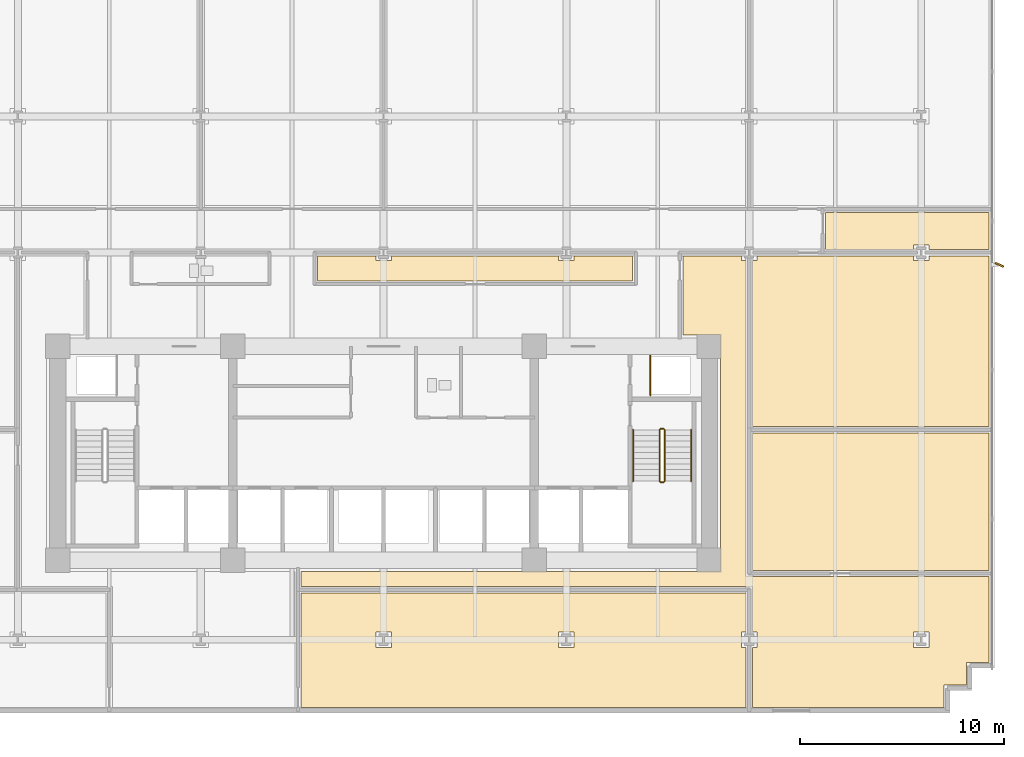
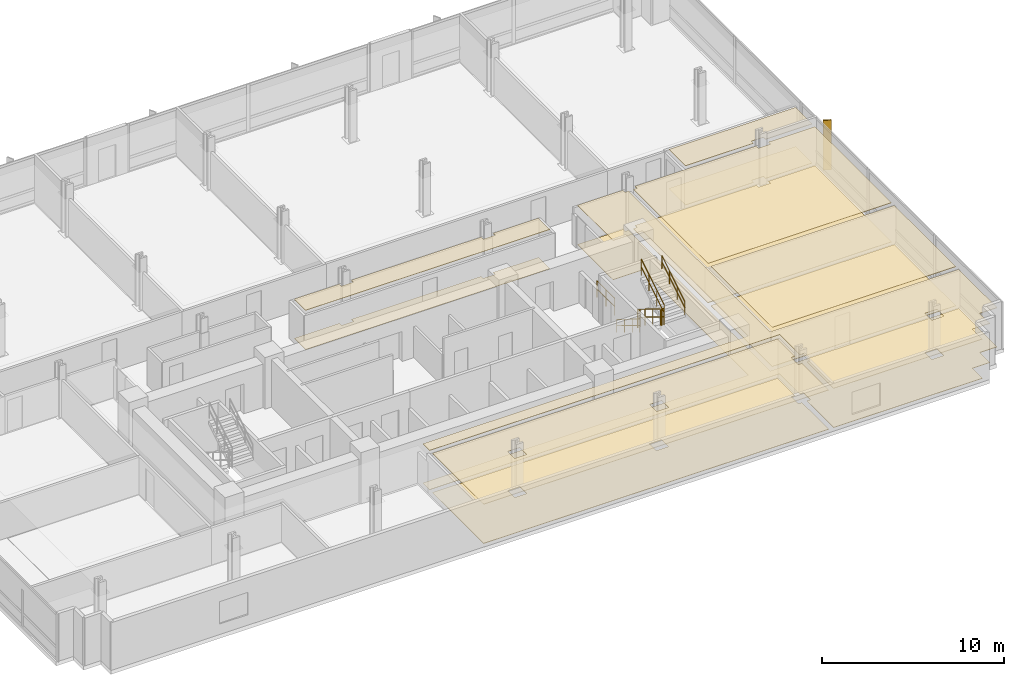
# One storey, part 12 of 14: 12 coverings, 7 railings, 1 shading device.
"""IFC4 building model written with IfcOpenShell, lengths in metres."""

from ifc_helpers import new_model, si_unit, direction, frame, origin, origin_2d, place, context, subcontext, project, spatial, polyline, rectangle, circle, outline, extrude, material, layer, layer_set, type_object, element, save


model = new_model("IFC4")

# Units and contexts
model_context = context("Model", 3, precision=1e-05, world=origin(), true_north=direction((0.0, 1.0)))
body_context = subcontext(model_context, "Body", "Model", "MODEL_VIEW")
ifc_project = project(units=[si_unit("LENGTHUNIT", "METRE"), si_unit("AREAUNIT", "SQUARE_METRE"), si_unit("VOLUMEUNIT", "CUBIC_METRE"), si_unit("PLANEANGLEUNIT", "RADIAN"), si_unit("MASSUNIT", "GRAM", prefix="KILO")], contexts=[model_context])

# Site, building, storey
site_placement = place(None, origin())
site = spatial("IfcSite", under=ifc_project, at=site_placement, CompositionType="ELEMENT")
building_placement = place(site_placement, origin())
building = spatial("IfcBuilding", under=site, at=building_placement, Name="Solmavex Isthmus Hotel", CompositionType="ELEMENT")
storey_placement = place(building_placement, frame((0.0, 0.0, 50.550048828125)))
storey = spatial("IfcBuildingStorey", under=building, at=storey_placement, Name="L13", CompositionType="ELEMENT", Elevation=50.550048828125)

# Coverings
ifc_material_1 = material(Name="Gypsum plasterboard lining", Category="gypsum")
ifc_layer_1 = layer(ifc_material_1, 0.030029296875)
ifc_layer_set_1 = layer_set([ifc_layer_1], Name="Gypsum plasterboard lining")
covering_type_1 = type_object("IfcCoveringType", Name="COV-CEIL-GYP", PredefinedType="CEILING", material=ifc_layer_set_1)
covering_1_placement = place(storey_placement, frame((0.0, 0.0, 2.619873046875)))
element("IfcCovering", 1, at=covering_1_placement, inside=storey, type_object=covering_type_1, Name="Suspended Acoustic Ceiling L13-FL07", PredefinedType="CEILING", context=body_context, shape_type="SweptSolid", body=[
    extrude(outline(polyline([(26.02001953125, 2.2548828125), (26.02001953125, 2.47998046875), (26.780029296875, 2.47998046875), (26.780029296875, 2.2548828125), (29.72509765625, 2.2548828125), (29.72509765625, 4.074951171875), (21.70703125, 4.074951171875), (21.70703125, 2.2548828125), (26.02001953125, 2.2548828125)])), origin(), (0.0, 0.0, 1.0), 0.030029296875),
])
covering_2_placement = place(storey_placement, frame((0.0, 0.0, 2.619873046875)))
element("IfcCovering", 2, at=covering_2_placement, inside=storey, type_object=covering_type_1, Name="Suspended Acoustic Ceiling L13-FL08", PredefinedType="CEILING", context=body_context, shape_type="SweptSolid", body=[
    extrude(outline(polyline([(0.3798828125, 1.945068359375), (0.3798828125, 1.719970703125), (-0.3798828125, 1.719970703125), (-0.3798828125, 1.945068359375), (-3.23291015625, 1.945068359375), (-3.23291015625, 0.705078125), (12.22900390625, 0.705078125), (12.22900390625, 1.945068359375), (9.35595703125, 1.945068359375), (9.35595703125, 1.719970703125), (8.595947265625, 1.719970703125), (8.595947265625, 1.945068359375), (0.3798828125, 1.945068359375)])), origin(), (0.0, 0.0, 1.0), 0.030029296875),
])
covering_3_placement = place(storey_placement, frame((0.0, 0.0, 2.619873046875)))
element("IfcCovering", 3, at=covering_3_placement, inside=storey, type_object=covering_type_1, Name="Suspended Acoustic Ceiling L13-FL10", PredefinedType="CEILING", context=body_context, shape_type="SweptSolid", body=[
    extrude(outline(polyline([(18.10693359375, -16.52001953125), (18.33203125, -16.52001953125), (18.33203125, -17.280029296875), (18.10693359375, -17.280029296875), (18.10693359375, -20.22509765625), (27.52490234375, -20.22509765625), (27.52490234375, -19.125), (28.625, -19.125), (28.625, -18.02490234375), (29.72509765625, -18.02490234375), (29.72509765625, -13.804931640625), (17.797119140625, -13.804931640625), (17.797119140625, 1.719970703125), (17.572021484375, 1.719970703125), (17.572021484375, 1.945068359375), (14.698974609375, 1.945068359375), (14.698974609375, -1.945068359375), (16.554931640625, -1.945068359375), (16.554931640625, -13.554931640625), (-4.044921875, -13.554931640625), (-4.044921875, -14.294921875), (18.10693359375, -14.294921875), (18.10693359375, -16.52001953125)]), holes=[polyline([(26.02001953125, -17.280029296875), (26.02001953125, -16.52001953125), (26.780029296875, -16.52001953125), (26.780029296875, -17.280029296875), (26.02001953125, -17.280029296875)])]), origin(), (0.0, 0.0, 1.0), 0.030029296875),
])
covering_4_placement = place(storey_placement, frame((0.0, 0.0, 2.619873046875)))
element("IfcCovering", 4, at=covering_4_placement, inside=storey, type_object=covering_type_1, Name="Suspended Acoustic Ceiling L13-FL11", PredefinedType="CEILING", context=body_context, shape_type="SweptSolid", body=[
    extrude(outline(polyline([(29.72509765625, -6.7548828125), (18.10693359375, -6.7548828125), (18.10693359375, -13.4951171875), (29.72509765625, -13.4951171875), (29.72509765625, -6.7548828125)])), origin(), (0.0, 0.0, 1.0), 0.030029296875),
])
covering_5_placement = place(storey_placement, frame((0.0, 0.0, 2.619873046875)))
element("IfcCovering", 5, at=covering_5_placement, inside=storey, type_object=covering_type_1, Name="Suspended Acoustic Ceiling L13-FL15", PredefinedType="CEILING", context=body_context, shape_type="SweptSolid", body=[
    extrude(outline(polyline([(26.780029296875, 1.945068359375), (26.780029296875, 1.719970703125), (26.02001953125, 1.719970703125), (26.02001953125, 1.945068359375), (18.33203125, 1.945068359375), (18.33203125, 1.719970703125), (18.10693359375, 1.719970703125), (18.10693359375, -6.445068359375), (29.72509765625, -6.445068359375), (29.72509765625, 1.945068359375), (26.780029296875, 1.945068359375)])), origin(), (0.0, 0.0, 1.0), 0.030029296875),
])
covering_6_placement = place(storey_placement, frame((0.0, 0.0, 2.619873046875)))
element("IfcCovering", 6, at=covering_6_placement, inside=storey, type_object=covering_type_1, Name="Suspended Acoustic Ceiling L13-FL16", PredefinedType="CEILING", context=body_context, shape_type="SweptSolid", body=[
    extrude(outline(polyline([(17.797119140625, -17.280029296875), (17.572021484375, -17.280029296875), (17.572021484375, -16.52001953125), (17.797119140625, -16.52001953125), (17.797119140625, -14.60498046875), (-4.044921875, -14.60498046875), (-4.044921875, -20.22509765625), (17.797119140625, -20.22509765625), (17.797119140625, -17.280029296875)]), holes=[polyline([(8.595947265625, -17.280029296875), (8.595947265625, -16.52001953125), (9.35595703125, -16.52001953125), (9.35595703125, -17.280029296875), (8.595947265625, -17.280029296875)]), polyline([(-0.3798828125, -17.280029296875), (-0.3798828125, -16.52001953125), (0.3798828125, -16.52001953125), (0.3798828125, -17.280029296875), (-0.3798828125, -17.280029296875)])]), origin(), (0.0, 0.0, 1.0), 0.030029296875),
])
ifc_material_2 = material(Name="Travertine natural stone", Category="masonry")
ifc_layer_2 = layer(ifc_material_2, 0.02490234375)
ifc_layer_set_2 = layer_set([ifc_layer_2], Name="Travertine natural stone")
covering_type_2 = type_object("IfcCoveringType", Name="COV-FLOR-STN", PredefinedType="FLOORING", material=ifc_layer_set_2)
covering_7_placement = place(storey_placement, origin())
element("IfcCovering", 7, at=covering_7_placement, inside=storey, type_object=covering_type_2, Name="Stone and Timber Floor Finish L13-FL07", PredefinedType="FLOORING", context=body_context, shape_type="SweptSolid", body=[
    extrude(outline(polyline([(26.02001953125, 2.2548828125), (26.02001953125, 2.47998046875), (26.780029296875, 2.47998046875), (26.780029296875, 2.2548828125), (29.72509765625, 2.2548828125), (29.72509765625, 4.074951171875), (21.70703125, 4.074951171875), (21.70703125, 2.2548828125), (26.02001953125, 2.2548828125)])), origin(), (0.0, 0.0, 1.0), 0.02490234375),
])
covering_8_placement = place(storey_placement, origin())
element("IfcCovering", 8, at=covering_8_placement, inside=storey, type_object=covering_type_2, Name="Stone and Timber Floor Finish L13-FL08", PredefinedType="FLOORING", context=body_context, shape_type="SweptSolid", body=[
    extrude(outline(polyline([(0.3798828125, 1.945068359375), (0.3798828125, 1.719970703125), (-0.3798828125, 1.719970703125), (-0.3798828125, 1.945068359375), (-3.23291015625, 1.945068359375), (-3.23291015625, 0.705078125), (12.22900390625, 0.705078125), (12.22900390625, 1.945068359375), (9.35595703125, 1.945068359375), (9.35595703125, 1.719970703125), (8.595947265625, 1.719970703125), (8.595947265625, 1.945068359375), (0.3798828125, 1.945068359375)])), origin(), (0.0, 0.0, 1.0), 0.02490234375),
])
covering_9_placement = place(storey_placement, origin())
element("IfcCovering", 9, at=covering_9_placement, inside=storey, type_object=covering_type_2, Name="Stone and Timber Floor Finish L13-FL10", PredefinedType="FLOORING", context=body_context, shape_type="SweptSolid", body=[
    extrude(outline(polyline([(18.10693359375, -16.52001953125), (18.33203125, -16.52001953125), (18.33203125, -17.280029296875), (18.10693359375, -17.280029296875), (18.10693359375, -20.22509765625), (27.52490234375, -20.22509765625), (27.52490234375, -19.125), (28.625, -19.125), (28.625, -18.02490234375), (29.72509765625, -18.02490234375), (29.72509765625, -13.804931640625), (17.797119140625, -13.804931640625), (17.797119140625, 1.719970703125), (17.572021484375, 1.719970703125), (17.572021484375, 1.945068359375), (14.698974609375, 1.945068359375), (14.698974609375, -1.945068359375), (16.554931640625, -1.945068359375), (16.554931640625, -13.554931640625), (-4.044921875, -13.554931640625), (-4.044921875, -14.294921875), (18.10693359375, -14.294921875), (18.10693359375, -16.52001953125)]), holes=[polyline([(26.02001953125, -17.280029296875), (26.02001953125, -16.52001953125), (26.780029296875, -16.52001953125), (26.780029296875, -17.280029296875), (26.02001953125, -17.280029296875)])]), origin(), (0.0, 0.0, 1.0), 0.02490234375),
])
covering_10_placement = place(storey_placement, origin())
element("IfcCovering", 10, at=covering_10_placement, inside=storey, type_object=covering_type_2, Name="Stone and Timber Floor Finish L13-FL11", PredefinedType="FLOORING", context=body_context, shape_type="SweptSolid", body=[
    extrude(outline(polyline([(29.72509765625, -6.7548828125), (18.10693359375, -6.7548828125), (18.10693359375, -13.4951171875), (29.72509765625, -13.4951171875), (29.72509765625, -6.7548828125)])), origin(), (0.0, 0.0, 1.0), 0.02490234375),
])
covering_11_placement = place(storey_placement, origin())
element("IfcCovering", 11, at=covering_11_placement, inside=storey, type_object=covering_type_2, Name="Stone and Timber Floor Finish L13-FL15", PredefinedType="FLOORING", context=body_context, shape_type="SweptSolid", body=[
    extrude(outline(polyline([(26.780029296875, 1.945068359375), (26.780029296875, 1.719970703125), (26.02001953125, 1.719970703125), (26.02001953125, 1.945068359375), (18.33203125, 1.945068359375), (18.33203125, 1.719970703125), (18.10693359375, 1.719970703125), (18.10693359375, -6.445068359375), (29.72509765625, -6.445068359375), (29.72509765625, 1.945068359375), (26.780029296875, 1.945068359375)])), origin(), (0.0, 0.0, 1.0), 0.02490234375),
])
covering_12_placement = place(storey_placement, origin())
element("IfcCovering", 12, at=covering_12_placement, inside=storey, type_object=covering_type_2, Name="Stone and Timber Floor Finish L13-FL16", PredefinedType="FLOORING", context=body_context, shape_type="SweptSolid", body=[
    extrude(outline(polyline([(17.797119140625, -17.280029296875), (17.572021484375, -17.280029296875), (17.572021484375, -16.52001953125), (17.797119140625, -16.52001953125), (17.797119140625, -14.60498046875), (-4.044921875, -14.60498046875), (-4.044921875, -20.22509765625), (17.797119140625, -20.22509765625), (17.797119140625, -17.280029296875)]), holes=[polyline([(8.595947265625, -17.280029296875), (8.595947265625, -16.52001953125), (9.35595703125, -16.52001953125), (9.35595703125, -17.280029296875), (8.595947265625, -17.280029296875)]), polyline([(-0.3798828125, -17.280029296875), (-0.3798828125, -16.52001953125), (0.3798828125, -16.52001953125), (0.3798828125, -17.280029296875), (-0.3798828125, -17.280029296875)])]), origin(), (0.0, 0.0, 1.0), 0.02490234375),
])

# Railings
ifc_material_3 = material(Name="Clear low-E laminated glass", Category="glass")
ifc_layer_3 = layer(ifc_material_3, 0.080078125)
ifc_layer_set_3 = layer_set([ifc_layer_3], Name="Clear low-E laminated glass")
railing_type_1 = type_object("IfcRailingType", Name="RAIL-ATRIUM-1120", PredefinedType="BALUSTRADE", material=ifc_layer_set_3)
railing_1_placement = place(storey_placement, frame((13.10009765625, -4.89990234375, 0.0)))
element("IfcRailing", 13, at=railing_1_placement, inside=storey, type_object=railing_type_1, Name="Guardrail Balustrade L13-RSE-01", PredefinedType="BALUSTRADE", context=body_context, shape_type="SweptSolid", body=[
    extrude(circle(Radius=0.02392578125, at=origin_2d()), frame((0.0, 0.0, 1.1259765625), z_axis=(0.0, 1.0, 0.0), x_axis=(-1.0, 0.0, 0.0)), (0.0, 0.0, 1.0), 1.949951171875),
    extrude(circle(Radius=0.02392578125, at=origin_2d()), frame((0.0, 0.0, 0.574951171875), z_axis=(0.0, 1.0, 0.0), x_axis=(-1.0, 0.0, 0.0)), (0.0, 0.0, 1.0), 1.949951171875),
    extrude(circle(Radius=0.02099609375, at=origin_2d()), origin(), (0.0, 0.0, 1.0), 1.101806640625),
    extrude(circle(Radius=0.02099609375, at=origin_2d()), frame((0.0, 0.97509765625, 0.0)), (0.0, 0.0, 1.0), 1.101806640625),
    extrude(circle(Radius=0.02099609375, at=origin_2d()), frame((0.0, 1.949951171875, 0.0)), (0.0, 0.0, 1.0), 1.101806640625),
])
ifc_material_4 = material(Name="Stainless steel 316", Category="steel")
ifc_layer_4 = layer(ifc_material_4, 0.06005859375)
ifc_layer_set_4 = layer_set([ifc_layer_4], Name="Stainless steel 316")
railing_type_2 = type_object("IfcRailingType", Name="RAIL-STAIR-GD", PredefinedType="GUARDRAIL", material=ifc_layer_set_4)
railing_2_placement = place(storey_placement, frame((13.550048828125, -6.60009765625, 0.17236328125)))
element("IfcRailing", 14, at=railing_2_placement, inside=storey, type_object=railing_type_2, Name="L13 ST-2 stair guard 1", PredefinedType="GUARDRAIL", context=body_context, shape_type="SweptSolid", body=[
    extrude(circle(Radius=0.02392578125, at=origin_2d()), frame((0.0, 0.0, 1.09619140625), z_axis=(0.0, -0.851400495292, 0.524516154772), x_axis=(1.0, 0.0, 0.0)), (0.0, 0.0, 1.0), 2.9599609375),
    extrude(circle(Radius=0.02392578125, at=origin_2d()), frame((0.0, 0.0, 0.56005859375), z_axis=(0.0, -0.851400495292, 0.524516154772), x_axis=(1.0, 0.0, 0.0)), (0.0, 0.0, 1.0), 2.9599609375),
    extrude(circle(Radius=0.02099609375, at=origin_2d()), origin(), (0.0, 0.0, 1.0), 1.072021484375),
    extrude(circle(Radius=0.02099609375, at=origin_2d()), frame((0.0, -0.840087890625, 0.517578125)), (0.0, 0.0, 1.0), 1.072021484375),
    extrude(circle(Radius=0.02099609375, at=origin_2d()), frame((0.0, -1.679931640625, 1.034912109375)), (0.0, 0.0, 1.0), 1.072021484375),
    extrude(circle(Radius=0.02099609375, at=origin_2d()), frame((0.0, -2.52001953125, 1.552490234375)), (0.0, 0.0, 1.0), 1.072021484375),
])
railing_3_placement = place(storey_placement, frame((13.60009765625, -9.169921875, 1.724853515625)))
element("IfcRailing", 15, at=railing_3_placement, inside=storey, type_object=railing_type_2, Name="L13 ST-2 stair guard 2", PredefinedType="GUARDRAIL", context=body_context, shape_type="SweptSolid", body=[
    extrude(circle(Radius=0.02392578125, at=origin_2d()), frame((0.0, 0.0, 1.09619140625), z_axis=(1.0, 0.0, 0.0), x_axis=(0.0, 1.0, 0.0)), (0.0, 0.0, 1.0), 0.14990234375),
    extrude(circle(Radius=0.02392578125, at=origin_2d()), frame((0.0, 0.0, 0.56005859375), z_axis=(1.0, 0.0, 0.0), x_axis=(0.0, 1.0, 0.0)), (0.0, 0.0, 1.0), 0.14990234375),
    extrude(circle(Radius=0.02099609375, at=origin_2d()), origin(), (0.0, 0.0, 1.0), 1.072021484375),
    extrude(circle(Radius=0.02099609375, at=origin_2d()), frame((0.14990234375, 0.0, 0.0)), (0.0, 0.0, 1.0), 1.072021484375),
])
railing_4_placement = place(storey_placement, frame((13.800048828125, -9.1201171875, 1.8974609375)))
element("IfcRailing", 16, at=railing_4_placement, inside=storey, type_object=railing_type_2, Name="L13 ST-2 stair guard 3", PredefinedType="GUARDRAIL", context=body_context, shape_type="SweptSolid", body=[
    extrude(circle(Radius=0.02392578125, at=origin_2d()), frame((0.0, 0.0, 1.09619140625), z_axis=(0.0, 0.851400495292, 0.524516154772), x_axis=(-1.0, 0.0, 0.0)), (0.0, 0.0, 1.0), 2.9599609375),
    extrude(circle(Radius=0.02392578125, at=origin_2d()), frame((0.0, 0.0, 0.56005859375), z_axis=(0.0, 0.851400495292, 0.524516154772), x_axis=(-1.0, 0.0, 0.0)), (0.0, 0.0, 1.0), 2.9599609375),
    extrude(circle(Radius=0.02099609375, at=origin_2d()), origin(), (0.0, 0.0, 1.0), 1.072021484375),
    extrude(circle(Radius=0.02099609375, at=origin_2d()), frame((0.0, 0.840087890625, 0.517578125)), (0.0, 0.0, 1.0), 1.072021484375),
    extrude(circle(Radius=0.02099609375, at=origin_2d()), frame((0.0, 1.679931640625, 1.034912109375)), (0.0, 0.0, 1.0), 1.072021484375),
    extrude(circle(Radius=0.02099609375, at=origin_2d()), frame((0.0, 2.52001953125, 1.552490234375)), (0.0, 0.0, 1.0), 1.072021484375),
])
railing_5_placement = place(storey_placement, frame((13.60009765625, -6.550048828125, 0.0)))
element("IfcRailing", 17, at=railing_5_placement, inside=storey, type_object=railing_type_2, Name="L13 ST-2 stair guard 4", PredefinedType="GUARDRAIL", context=body_context, shape_type="SweptSolid", body=[
    extrude(circle(Radius=0.02392578125, at=origin_2d()), frame((0.0, 0.0, 1.09619140625), z_axis=(1.0, 0.0, 0.0), x_axis=(0.0, 1.0, 0.0)), (0.0, 0.0, 1.0), 0.14990234375),
    extrude(circle(Radius=0.02392578125, at=origin_2d()), frame((0.0, 0.0, 0.56005859375), z_axis=(1.0, 0.0, 0.0), x_axis=(0.0, 1.0, 0.0)), (0.0, 0.0, 1.0), 0.14990234375),
    extrude(circle(Radius=0.02099609375, at=origin_2d()), origin(), (0.0, 0.0, 1.0), 1.072021484375),
    extrude(circle(Radius=0.02099609375, at=origin_2d()), frame((0.14990234375, 0.0, 0.0)), (0.0, 0.0, 1.0), 1.072021484375),
])
ifc_layer_5 = layer(ifc_material_4, 0.050048828125)
ifc_layer_set_5 = layer_set([ifc_layer_5], Name="Stainless steel 316")
railing_type_3 = type_object("IfcRailingType", Name="RAIL-STAIR-HR", PredefinedType="HANDRAIL", material=ifc_layer_set_5)
railing_6_placement = place(storey_placement, frame((12.25, -6.60009765625, 0.17236328125)))
element("IfcRailing", 18, at=railing_6_placement, inside=storey, type_object=railing_type_3, Name="L13 ST-2 stair handrail 1", PredefinedType="HANDRAIL", context=body_context, shape_type="SweptSolid", body=[
    extrude(circle(Radius=0.02392578125, at=origin_2d()), frame((0.0, 0.0, 0.8759765625), z_axis=(0.0, -0.851400495292, 0.524516154772), x_axis=(1.0, 0.0, 0.0)), (0.0, 0.0, 1.0), 2.9599609375),
    extrude(circle(Radius=0.02392578125, at=origin_2d()), frame((0.0, 0.0, 0.449951171875), z_axis=(0.0, -0.851400495292, 0.524516154772), x_axis=(1.0, 0.0, 0.0)), (0.0, 0.0, 1.0), 2.9599609375),
    extrude(circle(Radius=0.02099609375, at=origin_2d()), origin(), (0.0, 0.0, 1.0), 0.851806640625),
    extrude(circle(Radius=0.02099609375, at=origin_2d()), frame((0.0, -0.840087890625, 0.517578125)), (0.0, 0.0, 1.0), 0.851806640625),
    extrude(circle(Radius=0.02099609375, at=origin_2d()), frame((0.0, -1.679931640625, 1.034912109375)), (0.0, 0.0, 1.0), 0.851806640625),
    extrude(circle(Radius=0.02099609375, at=origin_2d()), frame((0.0, -2.52001953125, 1.552490234375)), (0.0, 0.0, 1.0), 0.851806640625),
])
railing_7_placement = place(storey_placement, frame((15.10009765625, -9.1201171875, 1.8974609375)))
element("IfcRailing", 19, at=railing_7_placement, inside=storey, type_object=railing_type_3, Name="L13 ST-2 stair handrail 2", PredefinedType="HANDRAIL", context=body_context, shape_type="SweptSolid", body=[
    extrude(circle(Radius=0.02392578125, at=origin_2d()), frame((0.0, 0.0, 0.8759765625), z_axis=(0.0, 0.851400495292, 0.524516154772), x_axis=(-1.0, 0.0, 0.0)), (0.0, 0.0, 1.0), 2.9599609375),
    extrude(circle(Radius=0.02392578125, at=origin_2d()), frame((0.0, 0.0, 0.449951171875), z_axis=(0.0, 0.851400495292, 0.524516154772), x_axis=(-1.0, 0.0, 0.0)), (0.0, 0.0, 1.0), 2.9599609375),
    extrude(circle(Radius=0.02099609375, at=origin_2d()), origin(), (0.0, 0.0, 1.0), 0.851806640625),
    extrude(circle(Radius=0.02099609375, at=origin_2d()), frame((0.0, 0.840087890625, 0.517578125)), (0.0, 0.0, 1.0), 0.851806640625),
    extrude(circle(Radius=0.02099609375, at=origin_2d()), frame((0.0, 1.679931640625, 1.034912109375)), (0.0, 0.0, 1.0), 0.851806640625),
    extrude(circle(Radius=0.02099609375, at=origin_2d()), frame((0.0, 2.52001953125, 1.552490234375)), (0.0, 0.0, 1.0), 0.851806640625),
])

# Shading device
ifc_material_5 = material(Name="Aluminium alloy 6063-T6", Category="aluminium")
shading_device_type = type_object("IfcShadingDeviceType", Name="SHD-FIN-BRONZE", PredefinedType="USERDEFINED", material=ifc_material_5)
shading_device_placement = place(storey_placement, frame((30.239990234375, 1.5, -0.14013671875), z_axis=(0.0, 0.0, 1.0), x_axis=(0.913545457643, -0.406736643076, 0.0)))
element("IfcShadingDevice", 20, at=shading_device_placement, inside=storey, type_object=shading_device_type, Name="Anodised Aluminium Solar Fin L13-E1", ObjectType="SOLAR_FIN", PredefinedType="USERDEFINED", context=body_context, shape_type="SweptSolid", body=[
    extrude(rectangle(XDim=0.449951171875, YDim=0.080078125, at=origin_2d()), origin(), (0.0, 0.0, 1.0), 3.330078125),
])

save(model, "model.ifc")
